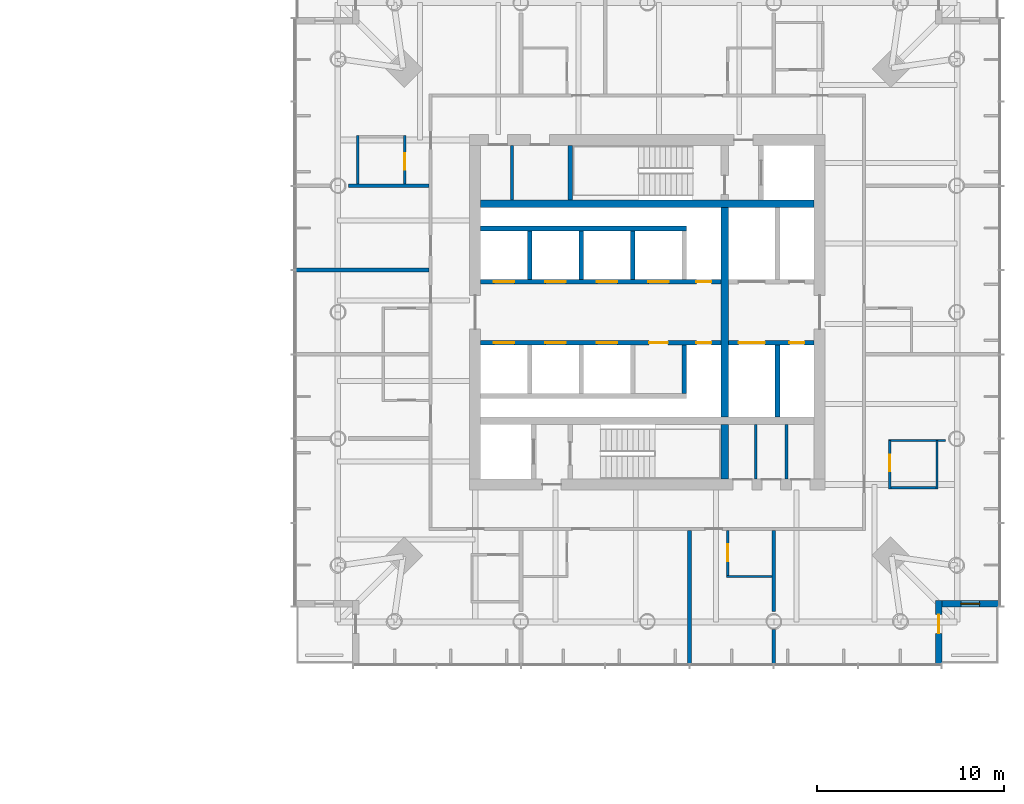
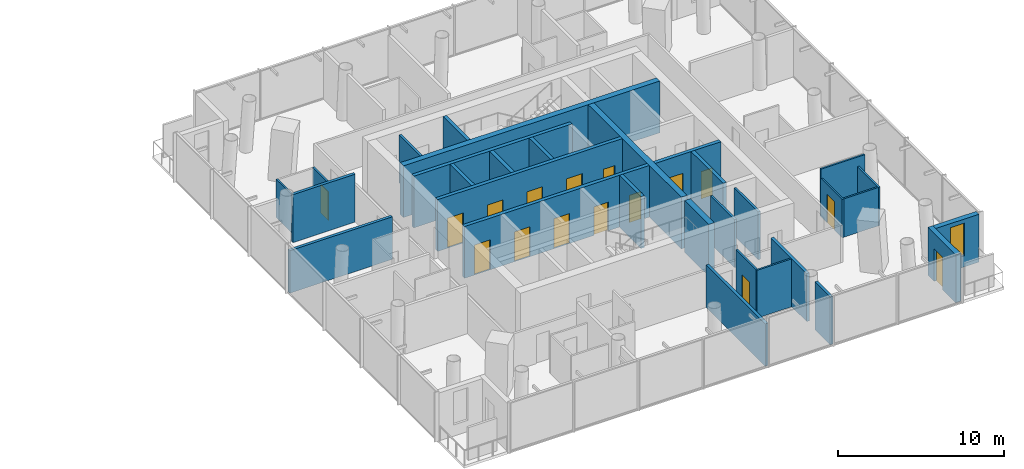
# One storey, part 17 of 24: 31 walls, 16 doors, 1 window, 17 openings.
"""IFC4 building model written with IfcOpenShell, lengths in metres."""

from ifc_helpers import new_model, si_unit, direction, frame, frame_2d, origin, place, context, subcontext, project, spatial, rectangle, extrude, material, layer, layer_set, type_object, element, fill, save


model = new_model("IFC4")

# Units and contexts
model_context = context("Model", 3, precision=1e-05, world=origin(), true_north=direction((0.0, 1.0)))
body_context = subcontext(model_context, "Body", "Model", "MODEL_VIEW")
ifc_project = project(units=[si_unit("LENGTHUNIT", "METRE"), si_unit("AREAUNIT", "SQUARE_METRE"), si_unit("VOLUMEUNIT", "CUBIC_METRE"), si_unit("PLANEANGLEUNIT", "RADIAN"), si_unit("MASSUNIT", "GRAM", prefix="KILO")], contexts=[model_context])

# Site, building, storey
site_placement = place(None, origin())
site = spatial("IfcSite", under=ifc_project, at=site_placement, CompositionType="ELEMENT")
building_placement = place(site_placement, origin())
building = spatial("IfcBuilding", under=site, at=building_placement, Name="Ostroluk Exchange", CompositionType="ELEMENT")
storey_placement = place(building_placement, frame((0.0, 0.0, 78.0)))
storey = spatial("IfcBuildingStorey", under=building, at=storey_placement, Name="L19", CompositionType="ELEMENT", Elevation=78.0)

# Walls
ifc_material_1 = material(Name="Concrete blockwork", Category="masonry")
ifc_layer_1 = layer(ifc_material_1, 0.14990234375)
ifc_layer_set_1 = layer_set([ifc_layer_1], Name="Blockwork plant room wall 150")
wall_type_1 = type_object("IfcWallType", Name="Blockwork plant room wall 150", PredefinedType="SOLIDWALL", material=ifc_layer_set_1)
for number, where, z_axis, x_axis, name in (
    (1, (122.79248046875, 37.10009765625, 0.0), (0.0, 0.0, 1.0), (0.0, 1.0, 0.0), "Core room wall"),
    (2, (124.4375, 37.10009765625, 0.0), (0.0, 0.0, 1.0), (0.0, 1.0, 0.0), "Core room wall"),
    (3, (109.77392578125, 52.0, 0.0), (0.0, 0.0, 1.0), (0.0, 1.0, 0.0), "Core room wall"),
):
    element("IfcWall", number, at=place(storey_placement, frame(where, z_axis=z_axis, x_axis=x_axis)), inside=storey, type_object=wall_type_1, Name=name, PredefinedType="SOLIDWALL", context=body_context, shape_type="SweptSolid", body=[
        extrude(rectangle(XDim=2.89990234375, YDim=0.14990234375, at=frame_2d((1.449951171875, 0.0))), origin(), (0.0, 0.0, 1.0), 3.52001953125),
    ])
ifc_material_2 = material(Name="Concrete C50/60", Category="concrete")
ifc_layer_2 = layer(ifc_material_2, 0.39990234375)
ifc_layer_set_2 = layer_set([ifc_layer_2], Name="Core cross wall 400 C50/60")
wall_type_2 = type_object("IfcWallType", Name="Core cross wall 400 C50/60", PredefinedType="SHEAR", material=ifc_layer_set_2)
wall_1_placement = place(storey_placement, frame((108.10009765625, 51.800048828125, 0.0), z_axis=(0.0, 0.0, 1.0), x_axis=(1.0, 0.0, 0.0)))
element("IfcWall", 4, at=wall_1_placement, inside=storey, type_object=wall_type_2, Name="T2 core wall XN", PredefinedType="SHEAR", context=body_context, shape_type="SweptSolid", body=[
    extrude(rectangle(XDim=17.7998046875, YDim=0.39990234375, at=frame_2d((8.89990234375, 0.0))), origin(), (0.0, 0.0, 1.0), 3.800048828125),
])
wall_2_placement = place(storey_placement, frame((121.1298828125, 37.10009765625, 0.0), z_axis=(0.0, 0.0, 1.0), x_axis=(0.0, 1.0, 0.0)))
element("IfcWall", 5, at=wall_2_placement, inside=storey, type_object=wall_type_2, Name="T2 core wall YE1", PredefinedType="SHEAR", context=body_context, shape_type="SweptSolid", body=[
    extrude(rectangle(XDim=2.89990234375, YDim=0.39990234375, at=frame_2d((1.449951171875, 0.0))), origin(), (0.0, 0.0, 1.0), 3.800048828125),
])
wall_3_placement = place(storey_placement, frame((121.1298828125, 40.39990234375, 0.0), z_axis=(0.0, 0.0, 1.0), x_axis=(0.0, 1.0, 0.0)))
element("IfcWall", 6, at=wall_3_placement, inside=storey, type_object=wall_type_2, Name="T2 core wall YE2", PredefinedType="SHEAR", context=body_context, shape_type="SweptSolid", body=[
    extrude(rectangle(XDim=11.2001953125, YDim=0.39990234375, at=frame_2d((5.60009765625, 0.0))), origin(), (0.0, 0.0, 1.0), 3.800048828125),
])
ifc_material_3 = material(Name="Concrete C40/50", Category="concrete")
ifc_layer_3 = layer(ifc_material_3, 0.25)
ifc_layer_set_3 = layer_set([ifc_layer_3], Name="Core shaft wall 250")
wall_type_3 = type_object("IfcWallType", Name="Core shaft wall 250", PredefinedType="SHEAR", material=ifc_layer_set_3)
wall_4_placement = place(storey_placement, frame((112.875, 52.0, 0.0), z_axis=(0.0, 0.0, 1.0), x_axis=(0.0, 1.0, 0.0)))
element("IfcWall", 7, at=wall_4_placement, inside=storey, type_object=wall_type_3, Name="Stair shaft wall", PredefinedType="SHEAR", context=body_context, shape_type="SweptSolid", body=[
    extrude(rectangle(XDim=2.89990234375, YDim=0.25, at=frame_2d((1.449951171875, 0.0))), origin(), (0.0, 0.0, 1.0), 3.800048828125),
])
for number, where, z_axis, x_axis, name in (
    (8, (110.72509765625, 47.75, 0.0), (0.0, 0.0, 1.0), (0.0, 1.0, 0.0), "Lift shaft wall"),
    (9, (113.47509765625, 47.75, 0.0), (0.0, 0.0, 1.0), (0.0, 1.0, 0.0), "Lift shaft wall"),
    (10, (116.22509765625, 47.75, 0.0), (0.0, 0.0, 1.0), (0.0, 1.0, 0.0), "Lift shaft wall"),
):
    element("IfcWall", number, at=place(storey_placement, frame(where, z_axis=z_axis, x_axis=x_axis)), inside=storey, type_object=wall_type_3, Name=name, PredefinedType="SHEAR", context=body_context, shape_type="SweptSolid", body=[
        extrude(rectangle(XDim=2.60009765625, YDim=0.25, at=frame_2d((1.300048828125, 0.0))), origin(), (0.0, 0.0, 1.0), 3.800048828125),
    ])
wall_5_placement = place(storey_placement, frame((108.10009765625, 50.47509765625, 0.0), z_axis=(0.0, 0.0, 1.0), x_axis=(1.0, 0.0, 0.0)))
element("IfcWall", 11, at=wall_5_placement, inside=storey, type_object=wall_type_3, Name="Lift shaft wall", PredefinedType="SHEAR", context=body_context, shape_type="SweptSolid", body=[
    extrude(rectangle(XDim=11.0, YDim=0.25, at=frame_2d((5.5, 0.0))), origin(), (0.0, 0.0, 1.0), 3.800048828125),
])

# Wall, openings, doors
wall_6_placement = place(storey_placement, frame((108.10009765625, 47.625, 0.0), z_axis=(0.0, 0.0, 1.0), x_axis=(1.0, 0.0, 0.0)))
wall_6 = element("IfcWall", 12, at=wall_6_placement, inside=storey, type_object=wall_type_3, Name="Lift shaft front wall", PredefinedType="SHEAR", context=body_context, shape_type="SweptSolid", body=[
    extrude(rectangle(XDim=12.829833984375, YDim=0.25, at=frame_2d((6.4150390625, 0.0))), origin(), (0.0, 0.0, 1.0), 3.800048828125),
])
opening_1_placement = place(wall_6_placement, frame((0.699951171875, 0.0, 0.0)))
opening_1 = element("IfcOpeningElement", 13, at=opening_1_placement, cuts=wall_6, Name="Opening LD", PredefinedType="OPENING", context=body_context, shape_type="SweptSolid", body=[
    extrude(rectangle(XDim=1.10009765625, YDim=2.199951171875, at=frame_2d((0.550048828125, 1.10009765625))), frame((0.0, 0.135009765625, 0.0), z_axis=(0.0, -1.0, 0.0), x_axis=(1.0, 0.0, 0.0)), (0.0, 0.0, 1.0), 0.27001953125),
])
opening_2_placement = place(wall_6_placement, frame((3.449951171875, 0.0, 0.0)))
opening_2 = element("IfcOpeningElement", 14, at=opening_2_placement, cuts=wall_6, Name="Opening LD", PredefinedType="OPENING", context=body_context, shape_type="SweptSolid", body=[
    extrude(rectangle(XDim=1.10009765625, YDim=2.199951171875, at=frame_2d((0.550048828125, 1.10009765625))), frame((0.0, 0.135009765625, 0.0), z_axis=(0.0, -1.0, 0.0), x_axis=(1.0, 0.0, 0.0)), (0.0, 0.0, 1.0), 0.27001953125),
])
opening_3_placement = place(wall_6_placement, frame((6.199951171875, 0.0, 0.0)))
opening_3 = element("IfcOpeningElement", 15, at=opening_3_placement, cuts=wall_6, Name="Opening LD", PredefinedType="OPENING", context=body_context, shape_type="SweptSolid", body=[
    extrude(rectangle(XDim=1.10009765625, YDim=2.199951171875, at=frame_2d((0.550048828125, 1.10009765625))), frame((0.0, 0.135009765625, 0.0), z_axis=(0.0, -1.0, 0.0), x_axis=(1.0, 0.0, 0.0)), (0.0, 0.0, 1.0), 0.27001953125),
])
opening_4_placement = place(wall_6_placement, frame((8.949951171875, 0.0, 0.0)))
opening_4 = element("IfcOpeningElement", 16, at=opening_4_placement, cuts=wall_6, Name="Opening LD", PredefinedType="OPENING", context=body_context, shape_type="SweptSolid", body=[
    extrude(rectangle(XDim=1.10009765625, YDim=2.199951171875, at=frame_2d((0.550048828125, 1.10009765625))), frame((0.0, 0.135009765625, 0.0), z_axis=(0.0, -1.0, 0.0), x_axis=(1.0, 0.0, 0.0)), (0.0, 0.0, 1.0), 0.27001953125),
])
opening_5_placement = place(wall_6_placement, frame((11.514892578125, 0.0, 0.0)))
opening_5 = element("IfcOpeningElement", 17, at=opening_5_placement, cuts=wall_6, Name="Opening RD60", PredefinedType="OPENING", context=body_context, shape_type="SweptSolid", body=[
    extrude(rectangle(XDim=0.800048828125, YDim=2.0, at=frame_2d((0.39990234375, 1.0))), frame((0.0, 0.135009765625, 0.0), z_axis=(0.0, -1.0, 0.0), x_axis=(1.0, 0.0, 0.0)), (0.0, 0.0, 1.0), 0.27001953125),
])
ifc_material_4 = material(Name="Stainless steel", Category="steel")
door_type_1 = type_object("IfcDoorType", Name="Lift landing door E 60 1100 x 2200", OperationType="DOUBLE_DOOR_SLIDING", PredefinedType="DOOR", material=ifc_material_4)
door_1_placement = place(opening_1_placement, origin())
door_1 = element("IfcDoor", 18, at=door_1_placement, inside=storey, type_object=door_type_1, Name="Lift HL1 landing door", OperationType="DOUBLE_DOOR_SLIDING", OverallHeight=2.199951171875, OverallWidth=1.10009765625, PredefinedType="DOOR", context=body_context, shape_type="SweptSolid", body=[
    extrude(rectangle(XDim=1.10009765625, YDim=2.199951171875, at=frame_2d((0.550048828125, 1.10009765625))), frame((0.0, 0.02490234375, 0.0), z_axis=(0.0, -1.0, 0.0), x_axis=(1.0, 0.0, 0.0)), (0.0, 0.0, 1.0), 0.050048828125),
])
fill(opening_1, door_1)
door_2_placement = place(opening_2_placement, origin())
door_2 = element("IfcDoor", 19, at=door_2_placement, inside=storey, type_object=door_type_1, Name="Lift HL2 landing door", OperationType="DOUBLE_DOOR_SLIDING", OverallHeight=2.199951171875, OverallWidth=1.10009765625, PredefinedType="DOOR", context=body_context, shape_type="SweptSolid", body=[
    extrude(rectangle(XDim=1.10009765625, YDim=2.199951171875, at=frame_2d((0.550048828125, 1.10009765625))), frame((0.0, 0.02490234375, 0.0), z_axis=(0.0, -1.0, 0.0), x_axis=(1.0, 0.0, 0.0)), (0.0, 0.0, 1.0), 0.050048828125),
])
fill(opening_2, door_2)
door_3_placement = place(opening_3_placement, origin())
door_3 = element("IfcDoor", 20, at=door_3_placement, inside=storey, type_object=door_type_1, Name="Lift HL3 landing door", OperationType="DOUBLE_DOOR_SLIDING", OverallHeight=2.199951171875, OverallWidth=1.10009765625, PredefinedType="DOOR", context=body_context, shape_type="SweptSolid", body=[
    extrude(rectangle(XDim=1.10009765625, YDim=2.199951171875, at=frame_2d((0.550048828125, 1.10009765625))), frame((0.0, 0.02490234375, 0.0), z_axis=(0.0, -1.0, 0.0), x_axis=(1.0, 0.0, 0.0)), (0.0, 0.0, 1.0), 0.050048828125),
])
fill(opening_3, door_3)
door_4_placement = place(opening_4_placement, origin())
door_4 = element("IfcDoor", 21, at=door_4_placement, inside=storey, type_object=door_type_1, Name="Lift HL4 landing door", OperationType="DOUBLE_DOOR_SLIDING", OverallHeight=2.199951171875, OverallWidth=1.10009765625, PredefinedType="DOOR", context=body_context, shape_type="SweptSolid", body=[
    extrude(rectangle(XDim=1.10009765625, YDim=2.199951171875, at=frame_2d((0.550048828125, 1.10009765625))), frame((0.0, 0.02490234375, 0.0), z_axis=(0.0, -1.0, 0.0), x_axis=(1.0, 0.0, 0.0)), (0.0, 0.0, 1.0), 0.050048828125),
])
fill(opening_4, door_4)
ifc_material_5 = material(Name="Steel", Category="steel")
door_type_2 = type_object("IfcDoorType", Name="Riser access door EI 60 800 x 2000", OperationType="SINGLE_SWING_LEFT", PredefinedType="DOOR", material=ifc_material_5)
door_5_placement = place(opening_5_placement, origin())
door_5 = element("IfcDoor", 22, at=door_5_placement, inside=storey, type_object=door_type_2, Name="Riser access door", OperationType="SINGLE_SWING_RIGHT", OverallHeight=2.0, OverallWidth=0.800048828125, PredefinedType="DOOR", context=body_context, shape_type="SweptSolid", body=[
    extrude(rectangle(XDim=0.800048828125, YDim=2.0, at=frame_2d((0.39990234375, 1.0))), frame((0.0, 0.02490234375, 0.0), z_axis=(0.0, -1.0, 0.0), x_axis=(1.0, 0.0, 0.0)), (0.0, 0.0, 1.0), 0.050048828125),
])
fill(opening_5, door_5)

# Wall
wall_7_placement = place(storey_placement, frame((118.97509765625, 44.25, 0.0), z_axis=(0.0, 0.0, 1.0), x_axis=(0.0, -1.0, 0.0)))
element("IfcWall", 23, at=wall_7_placement, inside=storey, type_object=wall_type_3, Name="Lift shaft wall", PredefinedType="SHEAR", context=body_context, shape_type="SweptSolid", body=[
    extrude(rectangle(XDim=2.60009765625, YDim=0.25, at=frame_2d((1.300048828125, 0.0))), origin(), (0.0, 0.0, 1.0), 3.800048828125),
])

# Wall, openings, doors
wall_8_placement = place(storey_placement, frame((108.10009765625, 44.375, 0.0), z_axis=(0.0, 0.0, 1.0), x_axis=(1.0, 0.0, 0.0)))
wall_8 = element("IfcWall", 24, at=wall_8_placement, inside=storey, type_object=wall_type_3, Name="Lift shaft front wall", PredefinedType="SHEAR", context=body_context, shape_type="SweptSolid", body=[
    extrude(rectangle(XDim=12.829833984375, YDim=0.25, at=frame_2d((6.4150390625, 0.0))), origin(), (0.0, 0.0, 1.0), 3.800048828125),
])
opening_6_placement = place(wall_8_placement, frame((0.699951171875, 0.0, 0.0)))
opening_6 = element("IfcOpeningElement", 25, at=opening_6_placement, cuts=wall_8, Name="Opening LD", PredefinedType="OPENING", context=body_context, shape_type="SweptSolid", body=[
    extrude(rectangle(XDim=1.10009765625, YDim=2.199951171875, at=frame_2d((0.550048828125, 1.10009765625))), frame((0.0, 0.135009765625, 0.0), z_axis=(0.0, -1.0, 0.0), x_axis=(1.0, 0.0, 0.0)), (0.0, 0.0, 1.0), 0.27001953125),
])
opening_7_placement = place(wall_8_placement, frame((3.449951171875, 0.0, 0.0)))
opening_7 = element("IfcOpeningElement", 26, at=opening_7_placement, cuts=wall_8, Name="Opening LD", PredefinedType="OPENING", context=body_context, shape_type="SweptSolid", body=[
    extrude(rectangle(XDim=1.10009765625, YDim=2.199951171875, at=frame_2d((0.550048828125, 1.10009765625))), frame((0.0, 0.135009765625, 0.0), z_axis=(0.0, -1.0, 0.0), x_axis=(1.0, 0.0, 0.0)), (0.0, 0.0, 1.0), 0.27001953125),
])
opening_8_placement = place(wall_8_placement, frame((6.199951171875, 0.0, 0.0)))
opening_8 = element("IfcOpeningElement", 27, at=opening_8_placement, cuts=wall_8, Name="Opening LD", PredefinedType="OPENING", context=body_context, shape_type="SweptSolid", body=[
    extrude(rectangle(XDim=1.10009765625, YDim=2.199951171875, at=frame_2d((0.550048828125, 1.10009765625))), frame((0.0, 0.135009765625, 0.0), z_axis=(0.0, -1.0, 0.0), x_axis=(1.0, 0.0, 0.0)), (0.0, 0.0, 1.0), 0.27001953125),
])
opening_9_placement = place(wall_8_placement, frame((9.0, 0.0, 0.0)))
opening_9 = element("IfcOpeningElement", 28, at=opening_9_placement, cuts=wall_8, Name="Opening FD60", PredefinedType="OPENING", context=body_context, shape_type="SweptSolid", body=[
    extrude(rectangle(XDim=1.0, YDim=2.10009765625, at=frame_2d((0.5, 1.050048828125))), frame((0.0, 0.135009765625, 0.0), z_axis=(0.0, -1.0, 0.0), x_axis=(1.0, 0.0, 0.0)), (0.0, 0.0, 1.0), 0.27001953125),
])
opening_10_placement = place(wall_8_placement, frame((11.514892578125, 0.0, 0.0)))
opening_10 = element("IfcOpeningElement", 29, at=opening_10_placement, cuts=wall_8, Name="Opening RD60", PredefinedType="OPENING", context=body_context, shape_type="SweptSolid", body=[
    extrude(rectangle(XDim=0.800048828125, YDim=2.0, at=frame_2d((0.39990234375, 1.0))), frame((0.0, 0.135009765625, 0.0), z_axis=(0.0, -1.0, 0.0), x_axis=(1.0, 0.0, 0.0)), (0.0, 0.0, 1.0), 0.27001953125),
])
ifc_material_6 = material(Name="Steel", Category="steel")
door_type_3 = type_object("IfcDoorType", Name="Fire door EI 60 1000 x 2100", OperationType="SINGLE_SWING_LEFT", PredefinedType="DOOR", material=ifc_material_6)
door_6_placement = place(opening_9_placement, origin())
door_6 = element("IfcDoor", 30, at=door_6_placement, inside=storey, type_object=door_type_3, Name="Core room door", OperationType="SINGLE_SWING_RIGHT", OverallHeight=2.10009765625, OverallWidth=1.0, PredefinedType="DOOR", context=body_context, shape_type="SweptSolid", body=[
    extrude(rectangle(XDim=1.0, YDim=2.10009765625, at=frame_2d((0.5, 1.050048828125))), frame((0.0, 0.02490234375, 0.0), z_axis=(0.0, -1.0, 0.0), x_axis=(1.0, 0.0, 0.0)), (0.0, 0.0, 1.0), 0.050048828125),
])
fill(opening_9, door_6)
door_7_placement = place(opening_6_placement, origin())
door_7 = element("IfcDoor", 31, at=door_7_placement, inside=storey, type_object=door_type_1, Name="Lift HL5 landing door", OperationType="DOUBLE_DOOR_SLIDING", OverallHeight=2.199951171875, OverallWidth=1.10009765625, PredefinedType="DOOR", context=body_context, shape_type="SweptSolid", body=[
    extrude(rectangle(XDim=1.10009765625, YDim=2.199951171875, at=frame_2d((0.550048828125, 1.10009765625))), frame((0.0, 0.02490234375, 0.0), z_axis=(0.0, -1.0, 0.0), x_axis=(1.0, 0.0, 0.0)), (0.0, 0.0, 1.0), 0.050048828125),
])
fill(opening_6, door_7)
door_8_placement = place(opening_7_placement, origin())
door_8 = element("IfcDoor", 32, at=door_8_placement, inside=storey, type_object=door_type_1, Name="Lift HL6 landing door", OperationType="DOUBLE_DOOR_SLIDING", OverallHeight=2.199951171875, OverallWidth=1.10009765625, PredefinedType="DOOR", context=body_context, shape_type="SweptSolid", body=[
    extrude(rectangle(XDim=1.10009765625, YDim=2.199951171875, at=frame_2d((0.550048828125, 1.10009765625))), frame((0.0, 0.02490234375, 0.0), z_axis=(0.0, -1.0, 0.0), x_axis=(1.0, 0.0, 0.0)), (0.0, 0.0, 1.0), 0.050048828125),
])
fill(opening_7, door_8)
door_9_placement = place(opening_8_placement, origin())
door_9 = element("IfcDoor", 33, at=door_9_placement, inside=storey, type_object=door_type_1, Name="Lift HL7 landing door", OperationType="DOUBLE_DOOR_SLIDING", OverallHeight=2.199951171875, OverallWidth=1.10009765625, PredefinedType="DOOR", context=body_context, shape_type="SweptSolid", body=[
    extrude(rectangle(XDim=1.10009765625, YDim=2.199951171875, at=frame_2d((0.550048828125, 1.10009765625))), frame((0.0, 0.02490234375, 0.0), z_axis=(0.0, -1.0, 0.0), x_axis=(1.0, 0.0, 0.0)), (0.0, 0.0, 1.0), 0.050048828125),
])
fill(opening_8, door_9)
door_10_placement = place(opening_10_placement, origin())
door_10 = element("IfcDoor", 34, at=door_10_placement, inside=storey, type_object=door_type_2, Name="Riser access door", OperationType="SINGLE_SWING_RIGHT", OverallHeight=2.0, OverallWidth=0.800048828125, PredefinedType="DOOR", context=body_context, shape_type="SweptSolid", body=[
    extrude(rectangle(XDim=0.800048828125, YDim=2.0, at=frame_2d((0.39990234375, 1.0))), frame((0.0, 0.02490234375, 0.0), z_axis=(0.0, -1.0, 0.0), x_axis=(1.0, 0.0, 0.0)), (0.0, 0.0, 1.0), 0.050048828125),
])
fill(opening_10, door_10)

# Wall
wall_9_placement = place(storey_placement, frame((123.955078125, 44.25, 0.0), z_axis=(0.0, 0.0, 1.0), x_axis=(0.0, -1.0, 0.0)))
element("IfcWall", 35, at=wall_9_placement, inside=storey, type_object=wall_type_3, Name="Lift shaft wall", PredefinedType="SHEAR", context=body_context, shape_type="SweptSolid", body=[
    extrude(rectangle(XDim=3.85009765625, YDim=0.25, at=frame_2d((1.925048828125, 0.0))), origin(), (0.0, 0.0, 1.0), 3.800048828125),
])

# Wall, openings, doors
wall_10_placement = place(storey_placement, frame((121.330078125, 44.375, 0.0), z_axis=(0.0, 0.0, 1.0), x_axis=(1.0, 0.0, 0.0)))
wall_10 = element("IfcWall", 36, at=wall_10_placement, inside=storey, type_object=wall_type_3, Name="Lift shaft front wall", PredefinedType="SHEAR", context=body_context, shape_type="SweptSolid", body=[
    extrude(rectangle(XDim=4.56982421875, YDim=0.25, at=frame_2d((2.284912109375, 0.0))), origin(), (0.0, 0.0, 1.0), 3.800048828125),
])
opening_11_placement = place(wall_10_placement, frame((0.550048828125, 0.0, 0.0)))
opening_11 = element("IfcOpeningElement", 37, at=opening_11_placement, cuts=wall_10, Name="Opening LD3", PredefinedType="OPENING", context=body_context, shape_type="SweptSolid", body=[
    extrude(rectangle(XDim=1.39990234375, YDim=2.39990234375, at=frame_2d((0.699951171875, 1.199951171875))), frame((0.0, 0.135009765625, 0.0), z_axis=(0.0, -1.0, 0.0), x_axis=(1.0, 0.0, 0.0)), (0.0, 0.0, 1.0), 0.27001953125),
])
opening_12_placement = place(wall_10_placement, frame((3.260009765625, 0.0, 0.0)))
opening_12 = element("IfcOpeningElement", 38, at=opening_12_placement, cuts=wall_10, Name="Opening RD60", PredefinedType="OPENING", context=body_context, shape_type="SweptSolid", body=[
    extrude(rectangle(XDim=0.800048828125, YDim=2.0, at=frame_2d((0.39990234375, 1.0))), frame((0.0, 0.135009765625, 0.0), z_axis=(0.0, -1.0, 0.0), x_axis=(1.0, 0.0, 0.0)), (0.0, 0.0, 1.0), 0.27001953125),
])
ifc_material_7 = material(Name="Stainless steel", Category="steel")
door_type_4 = type_object("IfcDoorType", Name="Goods lift landing door E 60 1400 x 2400", OperationType="DOUBLE_DOOR_SLIDING", PredefinedType="DOOR", material=ifc_material_7)
door_11_placement = place(opening_11_placement, origin())
door_11 = element("IfcDoor", 39, at=door_11_placement, inside=storey, type_object=door_type_4, Name="Lift HS2 landing door", OperationType="DOUBLE_DOOR_SLIDING", OverallHeight=2.39990234375, OverallWidth=1.39990234375, PredefinedType="DOOR", context=body_context, shape_type="SweptSolid", body=[
    extrude(rectangle(XDim=1.39990234375, YDim=2.39990234375, at=frame_2d((0.699951171875, 1.199951171875))), frame((0.0, 0.02490234375, 0.0), z_axis=(0.0, -1.0, 0.0), x_axis=(1.0, 0.0, 0.0)), (0.0, 0.0, 1.0), 0.050048828125),
])
fill(opening_11, door_11)
door_12_placement = place(opening_12_placement, origin())
door_12 = element("IfcDoor", 40, at=door_12_placement, inside=storey, type_object=door_type_2, Name="Riser access door", OperationType="SINGLE_SWING_RIGHT", OverallHeight=2.0, OverallWidth=0.800048828125, PredefinedType="DOOR", context=body_context, shape_type="SweptSolid", body=[
    extrude(rectangle(XDim=0.800048828125, YDim=2.0, at=frame_2d((0.39990234375, 1.0))), frame((0.0, 0.02490234375, 0.0), z_axis=(0.0, -1.0, 0.0), x_axis=(1.0, 0.0, 0.0)), (0.0, 0.0, 1.0), 0.050048828125),
])
fill(opening_12, door_12)

# Wall, opening, door
ifc_material_8 = material(Name="Limestone", Category="masonry")
ifc_layer_4 = layer(ifc_material_8, 0.35009765625)
ifc_layer_set_4 = layer_set([ifc_layer_4], Name="Limestone facade wall 350")
wall_type_4 = type_object("IfcWallType", Name="Limestone facade wall 350", PredefinedType="SOLIDWALL", material=ifc_layer_set_4)
wall_11_placement = place(storey_placement, frame((132.574951171875, 27.25, 0.0), z_axis=(0.0, 0.0, 1.0), x_axis=(0.0, 1.0, 0.0)))
wall_11 = element("IfcWall", 41, at=wall_11_placement, inside=storey, type_object=wall_type_4, Name="Hotel tower SE corner wall L19 a", PredefinedType="SOLIDWALL", context=body_context, shape_type="SweptSolid", body=[
    extrude(rectangle(XDim=3.35009765625, YDim=0.35009765625, at=frame_2d((1.675048828125, 0.0))), origin(), (0.0, 0.0, 1.0), 3.52001953125),
])
opening_13_placement = place(wall_11_placement, frame((1.60009765625, 0.0, 0.0)))
opening_13 = element("IfcOpeningElement", 42, at=opening_13_placement, cuts=wall_11, Name="Opening D-B1", PredefinedType="OPENING", context=body_context, shape_type="SweptSolid", body=[
    extrude(rectangle(XDim=1.0, YDim=2.39990234375, at=frame_2d((0.5, 1.199951171875))), frame((0.0, 0.18505859375, 0.0), z_axis=(0.0, -1.0, 0.0), x_axis=(1.0, 0.0, 0.0)), (0.0, 0.0, 1.0), 0.3701171875),
])
ifc_material_9 = material(Name="Bronze framed glazed door", Category="aluminium")
door_type_5 = type_object("IfcDoorType", Name="Balcony door 1000 x 2400", OperationType="SINGLE_SWING_LEFT", PredefinedType="DOOR", material=ifc_material_9)
door_13_placement = place(opening_13_placement, origin())
door_13 = element("IfcDoor", 43, at=door_13_placement, inside=storey, type_object=door_type_5, Name="Hotel tower SE balcony door L19", OperationType="SINGLE_SWING_RIGHT", OverallHeight=2.39990234375, OverallWidth=1.0, PredefinedType="DOOR", context=body_context, shape_type="SweptSolid", body=[
    extrude(rectangle(XDim=1.0, YDim=2.39990234375, at=frame_2d((0.5, 1.199951171875))), frame((0.0, 0.02490234375, 0.0), z_axis=(0.0, -1.0, 0.0), x_axis=(1.0, 0.0, 0.0)), (0.0, 0.0, 1.0), 0.050048828125),
])
fill(opening_13, door_13)

# Wall, opening, window
wall_12_placement = place(storey_placement, frame((132.75, 30.425048828125, 0.0), z_axis=(0.0, 0.0, 1.0), x_axis=(1.0, 0.0, 0.0)))
wall_12 = element("IfcWall", 44, at=wall_12_placement, inside=storey, type_object=wall_type_4, Name="Hotel tower SE corner wall L19 b", PredefinedType="SOLIDWALL", context=body_context, shape_type="SweptSolid", body=[
    extrude(rectangle(XDim=3.0, YDim=0.35009765625, at=frame_2d((1.5, 0.0))), origin(), (0.0, 0.0, 1.0), 3.52001953125),
])
opening_14_placement = place(wall_12_placement, frame((1.0, 0.0, 0.820068359375)))
opening_14 = element("IfcOpeningElement", 45, at=opening_14_placement, cuts=wall_12, Name="Opening WN-L3", PredefinedType="OPENING", context=body_context, shape_type="SweptSolid", body=[
    extrude(rectangle(XDim=1.0, YDim=2.39990234375, at=frame_2d((0.5, 1.199951171875))), frame((0.0, 0.18505859375, 0.0), z_axis=(0.0, -1.0, 0.0), x_axis=(1.0, 0.0, 0.0)), (0.0, 0.0, 1.0), 0.3701171875),
])
ifc_material_10 = material(Name="Laminated clear glass", Category="glass")
window_type = type_object("IfcWindowType", Name="Hotel lancet window 1000 x 2400", PartitioningType="SINGLE_PANEL", PredefinedType="WINDOW", material=ifc_material_10)
window_placement = place(opening_14_placement, origin())
window = element("IfcWindow", 46, at=window_placement, inside=storey, type_object=window_type, Name="Hotel tower SE lancet window L19", OverallHeight=2.39990234375, OverallWidth=1.0, PartitioningType="SINGLE_PANEL", PredefinedType="WINDOW", context=body_context, shape_type="SweptSolid", body=[
    extrude(rectangle(XDim=1.0, YDim=2.39990234375, at=frame_2d((0.5, 1.199951171875))), frame((0.0, 0.030029296875, 0.0), z_axis=(0.0, -1.0, 0.0), x_axis=(1.0, 0.0, 0.0)), (0.0, 0.0, 1.0), 0.06005859375),
])
fill(opening_14, window)

# Wall, opening, door
ifc_material_11 = material(Name="Gypsum plasterboard partition, moisture resistant", Category="gypsum")
ifc_layer_5 = layer(ifc_material_11, 0.1201171875)
ifc_layer_set_5 = layer_set([ifc_layer_5], Name="Plasterboard en-suite wall 120")
wall_type_5 = type_object("IfcWallType", Name="Plasterboard en-suite wall 120", PredefinedType="PARTITIONING", material=ifc_layer_set_5)
wall_13_placement = place(storey_placement, frame((129.949951171875, 39.14990234375, 0.0), z_axis=(0.0, 0.0, 1.0), x_axis=(0.0, -1.0, 0.0)))
wall_13 = element("IfcWall", 47, at=wall_13_placement, inside=storey, type_object=wall_type_5, Name="En-suite wall", PredefinedType="PARTITIONING", context=body_context, shape_type="SweptSolid", body=[
    extrude(rectangle(XDim=2.579833984375, YDim=0.1201171875, at=frame_2d((1.2900390625, 0.0))), origin(), (0.0, 0.0, 1.0), 2.820068359375),
])
opening_15_placement = place(wall_13_placement, frame((0.75, 0.0, 0.0)))
opening_15 = element("IfcOpeningElement", 48, at=opening_15_placement, cuts=wall_13, Name="Opening D-02", PredefinedType="OPENING", context=body_context, shape_type="SweptSolid", body=[
    extrude(rectangle(XDim=0.89990234375, YDim=2.10009765625, at=frame_2d((0.449951171875, 1.050048828125))), frame((0.0, 0.070068359375, 0.0), z_axis=(0.0, -1.0, 0.0), x_axis=(1.0, 0.0, 0.0)), (0.0, 0.0, 1.0), 0.14013671875),
])
ifc_material_12 = material(Name="Timber", Category="wood")
door_type_6 = type_object("IfcDoorType", Name="En-suite door 900 x 2100", OperationType="SINGLE_SWING_LEFT", PredefinedType="DOOR", material=ifc_material_12)
door_14_placement = place(opening_15_placement, origin())
door_14 = element("IfcDoor", 49, at=door_14_placement, inside=storey, type_object=door_type_6, Name="En-suite door 1901", OperationType="SINGLE_SWING_LEFT", OverallHeight=2.10009765625, OverallWidth=0.89990234375, PredefinedType="DOOR", context=body_context, shape_type="SweptSolid", body=[
    extrude(rectangle(XDim=0.89990234375, YDim=2.10009765625, at=frame_2d((0.449951171875, 1.050048828125))), frame((0.0, 0.02490234375, 0.0), z_axis=(0.0, -1.0, 0.0), x_axis=(1.0, 0.0, 0.0)), (0.0, 0.0, 1.0), 0.050048828125),
])
fill(opening_15, door_14)

# Walls
wall_14_placement = place(storey_placement, frame((132.469970703125, 39.14990234375, 0.0), z_axis=(0.0, 0.0, 1.0), x_axis=(0.0, -1.0, 0.0)))
element("IfcWall", 50, at=wall_14_placement, inside=storey, type_object=wall_type_5, Name="En-suite wall", PredefinedType="PARTITIONING", context=body_context, shape_type="SweptSolid", body=[
    extrude(rectangle(XDim=2.579833984375, YDim=0.1201171875, at=frame_2d((1.2900390625, 0.0))), origin(), (0.0, 0.0, 1.0), 2.820068359375),
])
wall_15_placement = place(storey_placement, frame((130.010009765625, 36.6298828125, 0.0), z_axis=(0.0, 0.0, 1.0), x_axis=(1.0, 0.0, 0.0)))
element("IfcWall", 51, at=wall_15_placement, inside=storey, type_object=wall_type_5, Name="En-suite wall", PredefinedType="PARTITIONING", context=body_context, shape_type="SweptSolid", body=[
    extrude(rectangle(XDim=2.39990234375, YDim=0.1201171875, at=frame_2d((1.199951171875, 0.0))), origin(), (0.0, 0.0, 1.0), 2.820068359375),
])
wall_16_placement = place(storey_placement, frame((129.889892578125, 39.14990234375, 0.0), z_axis=(0.0, 0.0, 1.0), x_axis=(1.0, 0.0, 0.0)))
element("IfcWall", 52, at=wall_16_placement, inside=storey, type_object=wall_type_5, Name="En-suite wall", PredefinedType="PARTITIONING", context=body_context, shape_type="SweptSolid", body=[
    extrude(rectangle(XDim=3.0400390625, YDim=0.1201171875, at=frame_2d((1.52001953125, 0.0))), origin(), (0.0, 0.0, 1.0), 3.52001953125),
])

# Wall, opening, door
wall_17_placement = place(storey_placement, frame((104.050048828125, 52.85009765625, 0.0), z_axis=(0.0, 0.0, 1.0), x_axis=(0.0, 1.0, 0.0)))
wall_17 = element("IfcWall", 53, at=wall_17_placement, inside=storey, type_object=wall_type_5, Name="En-suite wall", PredefinedType="PARTITIONING", context=body_context, shape_type="SweptSolid", body=[
    extrude(rectangle(XDim=2.579833984375, YDim=0.1201171875, at=frame_2d((1.2900390625, 0.0))), origin(), (0.0, 0.0, 1.0), 2.820068359375),
])
opening_16_placement = place(wall_17_placement, frame((0.75, 0.0, 0.0)))
opening_16 = element("IfcOpeningElement", 54, at=opening_16_placement, cuts=wall_17, Name="Opening D-02", PredefinedType="OPENING", context=body_context, shape_type="SweptSolid", body=[
    extrude(rectangle(XDim=0.89990234375, YDim=2.10009765625, at=frame_2d((0.449951171875, 1.050048828125))), frame((0.0, 0.070068359375, 0.0), z_axis=(0.0, -1.0, 0.0), x_axis=(1.0, 0.0, 0.0)), (0.0, 0.0, 1.0), 0.14013671875),
])
door_15_placement = place(opening_16_placement, origin())
door_15 = element("IfcDoor", 55, at=door_15_placement, inside=storey, type_object=door_type_6, Name="En-suite door 1906", OperationType="SINGLE_SWING_LEFT", OverallHeight=2.10009765625, OverallWidth=0.89990234375, PredefinedType="DOOR", context=body_context, shape_type="SweptSolid", body=[
    extrude(rectangle(XDim=0.89990234375, YDim=2.10009765625, at=frame_2d((0.449951171875, 1.050048828125))), frame((0.0, 0.02490234375, 0.0), z_axis=(0.0, -1.0, 0.0), x_axis=(1.0, 0.0, 0.0)), (0.0, 0.0, 1.0), 0.050048828125),
])
fill(opening_16, door_15)

# Walls
wall_18_placement = place(storey_placement, frame((101.530029296875, 52.85009765625, 0.0), z_axis=(0.0, 0.0, 1.0), x_axis=(0.0, 1.0, 0.0)))
element("IfcWall", 56, at=wall_18_placement, inside=storey, type_object=wall_type_5, Name="En-suite wall", PredefinedType="PARTITIONING", context=body_context, shape_type="SweptSolid", body=[
    extrude(rectangle(XDim=2.579833984375, YDim=0.1201171875, at=frame_2d((1.2900390625, 0.0))), origin(), (0.0, 0.0, 1.0), 2.820068359375),
])
wall_19_placement = place(storey_placement, frame((121.22998046875, 31.889892578125, 0.0), z_axis=(0.0, 0.0, 1.0), x_axis=(1.0, 0.0, 0.0)))
element("IfcWall", 57, at=wall_19_placement, inside=storey, type_object=wall_type_5, Name="En-suite wall", PredefinedType="PARTITIONING", context=body_context, shape_type="SweptSolid", body=[
    extrude(rectangle(XDim=2.419921875, YDim=0.1201171875, at=frame_2d((1.2099609375, 0.0))), origin(), (0.0, 0.0, 1.0), 3.52001953125),
])

# Wall, opening, door
wall_20_placement = place(storey_placement, frame((121.2900390625, 34.35009765625, 0.0), z_axis=(0.0, 0.0, 1.0), x_axis=(0.0, -1.0, 0.0)))
wall_20 = element("IfcWall", 58, at=wall_20_placement, inside=storey, type_object=wall_type_5, Name="En-suite wall", PredefinedType="PARTITIONING", context=body_context, shape_type="SweptSolid", body=[
    extrude(rectangle(XDim=2.400146484375, YDim=0.1201171875, at=frame_2d((1.2001953125, 0.0))), origin(), (0.0, 0.0, 1.0), 3.52001953125),
])
opening_17_placement = place(wall_20_placement, frame((0.75, 0.0, 0.0)))
opening_17 = element("IfcOpeningElement", 59, at=opening_17_placement, cuts=wall_20, Name="Opening D-02", PredefinedType="OPENING", context=body_context, shape_type="SweptSolid", body=[
    extrude(rectangle(XDim=0.89990234375, YDim=2.10009765625, at=frame_2d((0.449951171875, 1.050048828125))), frame((0.0, 0.070068359375, 0.0), z_axis=(0.0, -1.0, 0.0), x_axis=(1.0, 0.0, 0.0)), (0.0, 0.0, 1.0), 0.14013671875),
])
door_16_placement = place(opening_17_placement, origin())
door_16 = element("IfcDoor", 60, at=door_16_placement, inside=storey, type_object=door_type_6, Name="En-suite door 1911", OperationType="SINGLE_SWING_LEFT", OverallHeight=2.10009765625, OverallWidth=0.89990234375, PredefinedType="DOOR", context=body_context, shape_type="SweptSolid", body=[
    extrude(rectangle(XDim=0.89990234375, YDim=2.10009765625, at=frame_2d((0.449951171875, 1.050048828125))), frame((0.0, 0.02490234375, 0.0), z_axis=(0.0, -1.0, 0.0), x_axis=(1.0, 0.0, 0.0)), (0.0, 0.0, 1.0), 0.050048828125),
])
fill(opening_17, door_16)

# Walls
ifc_material_13 = material(Name="Gypsum plasterboard partition", Category="gypsum")
ifc_layer_6 = layer(ifc_material_13, 0.199951171875)
ifc_layer_set_6 = layer_set([ifc_layer_6], Name="Plasterboard party wall 200")
wall_type_6 = type_object("IfcWallType", Name="Plasterboard party wall 200", PredefinedType="PARTITIONING", material=ifc_layer_set_6)
wall_21_placement = place(storey_placement, frame((105.35009765625, 52.75, 0.0), z_axis=(0.0, 0.0, 1.0), x_axis=(-1.0, 0.0, 0.0)))
element("IfcWall", 61, at=wall_21_placement, inside=storey, type_object=wall_type_6, Name="Party wall", PredefinedType="PARTITIONING", context=body_context, shape_type="SweptSolid", body=[
    extrude(rectangle(XDim=4.322998046875, YDim=0.199951171875, at=frame_2d((2.16162109375, 0.0))), origin(), (0.0, 0.0, 1.0), 3.52001953125),
])
for number, where, z_axis, x_axis, name in (
    (62, (105.35009765625, 48.25, 0.0), (0.0, 0.0, 1.0), (-1.0, 0.0, 0.0), "Party wall"),
    (63, (119.25, 34.35009765625, 0.0), (0.0, 0.0, 1.0), (0.0, -1.0, 0.0), "Party wall"),
):
    element("IfcWall", number, at=place(storey_placement, frame(where, z_axis=z_axis, x_axis=x_axis)), inside=storey, type_object=wall_type_6, Name=name, PredefinedType="PARTITIONING", context=body_context, shape_type="SweptSolid", body=[
        extrude(rectangle(XDim=7.14013671875, YDim=0.199951171875, at=frame_2d((3.570068359375, 0.0))), origin(), (0.0, 0.0, 1.0), 3.1201171875),
    ])
wall_22_placement = place(storey_placement, frame((123.75, 34.35009765625, 0.0), z_axis=(0.0, 0.0, 1.0), x_axis=(0.0, -1.0, 0.0)))
element("IfcWall", 64, at=wall_22_placement, inside=storey, type_object=wall_type_6, Name="Party wall", PredefinedType="PARTITIONING", context=body_context, shape_type="SweptSolid", body=[
    extrude(rectangle(XDim=4.322998046875, YDim=0.199951171875, at=frame_2d((2.16162109375, 0.0))), origin(), (0.0, 0.0, 1.0), 3.52001953125),
])
wall_23_placement = place(storey_placement, frame((123.75, 29.05029296875, 0.0), z_axis=(0.0, 0.0, 1.0), x_axis=(0.0, -1.0, 0.0)))
element("IfcWall", 65, at=wall_23_placement, inside=storey, type_object=wall_type_6, Name="Party wall", PredefinedType="PARTITIONING", context=body_context, shape_type="SweptSolid", body=[
    extrude(rectangle(XDim=1.84033203125, YDim=0.199951171875, at=frame_2d((0.920166015625, 0.0))), origin(), (0.0, 0.0, 1.0), 3.52001953125),
])

save(model, "model.ifc")
